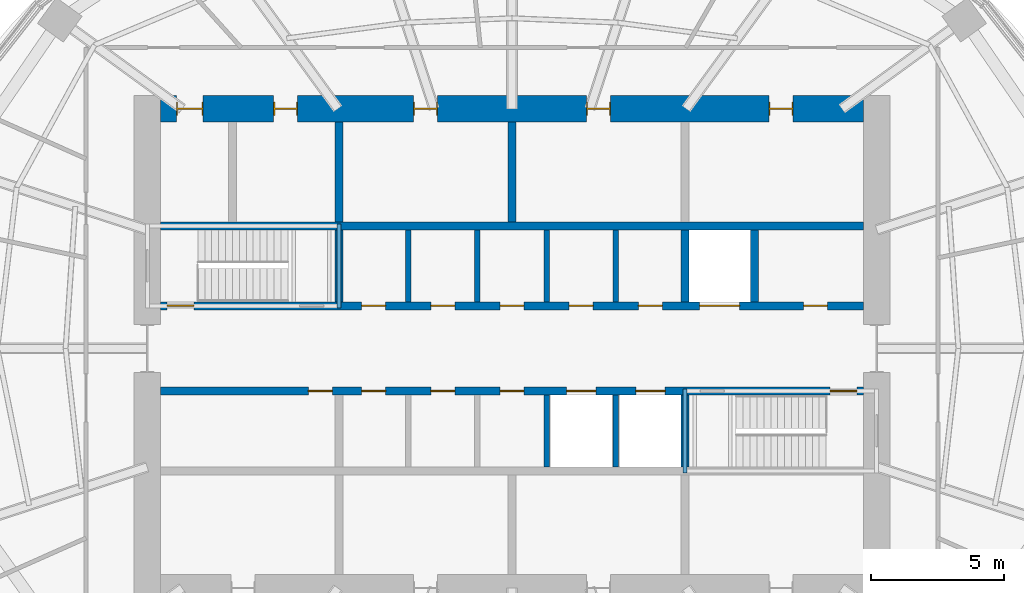
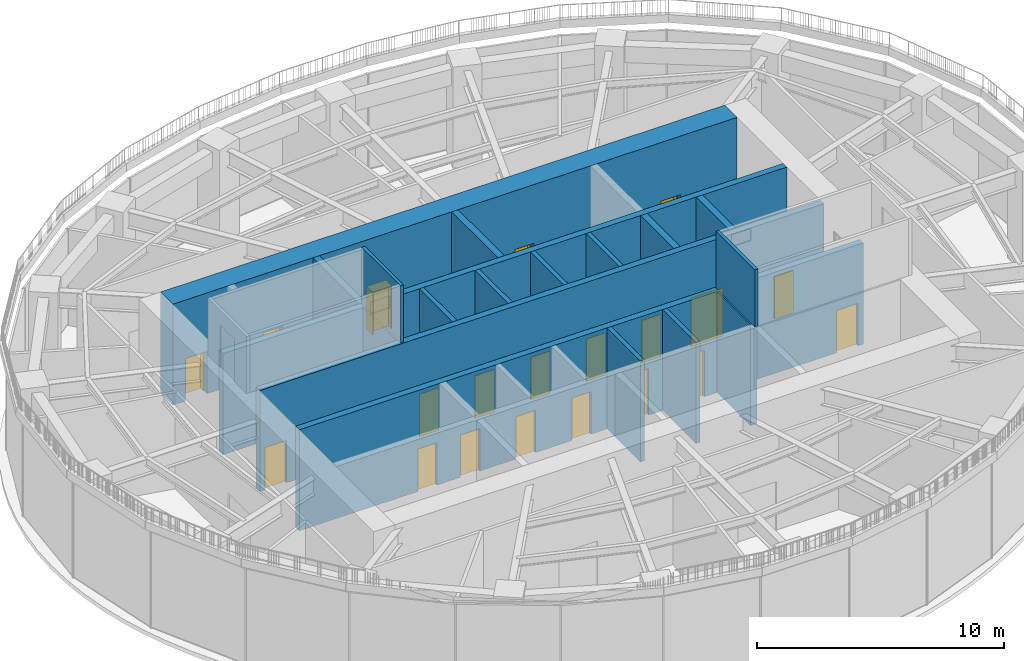
# One storey, part 11 of 19: 20 doors, 18 walls, 20 openings.
"""IFC4 building model written with IfcOpenShell, lengths in metres."""

import ifcopenshell
import ifcopenshell.guid

model = None  # the IFC model being written
_history = None  # IfcOwnerHistory: only IFC2X3 demands one
_inside = {}  # id of a spatial element -> (the spatial element, [elements in it])
_under = {}  # id of a project, library or spatial element -> (it, [spatial elements below it])
_declared = {}  # id of a project -> (the project, [libraries it declares])
_typed = {}  # id of a type object -> (the type object, [elements of that type])
_made_of = {}  # id of a material, layer set ... -> (it, [elements and type objects made of it])


def new_model(schema):
    """Start an empty IFC model of exactly this schema.

    Asked for "IFC4X3", IfcOpenShell would pick the latest addendum, in which some entities
    have other attributes; the version numbers below select the first issue.
    IFC2X3 requires an IfcOwnerHistory on every rooted entity: one is made here for all.
    """
    global model, _history
    if schema == "IFC4X3":
        model = ifcopenshell.file(schema_version=(4, 3, 0, 0))
    else:
        model = ifcopenshell.file(schema=schema)
    _inside.clear()
    _under.clear()
    _declared.clear()
    _typed.clear()
    _made_of.clear()
    _history = None
    if model.schema == "IFC2X3":
        org = make("IfcOrganization", Name="unknown")
        user = make(
            "IfcPersonAndOrganization",
            ThePerson=make("IfcPerson", FamilyName="unknown"),
            TheOrganization=org,
        )
        app = make(
            "IfcApplication",
            ApplicationDeveloper=org,
            Version="unknown",
            ApplicationFullName="unknown",
            ApplicationIdentifier="unknown",
        )
        _history = make(
            "IfcOwnerHistory",
            OwningUser=user,
            OwningApplication=app,
            ChangeAction="ADDED",
            CreationDate=0,
        )
    return model


def make(cls, **values):
    """One entity of the class cls with the attributes given. An attribute that is None is left unset."""
    return model.create_entity(
        cls, **{name: value for name, value in values.items() if value is not None}
    )


def rooted(cls, **values):
    """An entity with a GlobalId (a new one), such as an element, a storey or a relation."""
    return make(cls, GlobalId=ifcopenshell.guid.new(), OwnerHistory=_history, **values)


def si_unit(unit_type, name, prefix=None):
    """IfcSIUnit, for example si_unit("LENGTHUNIT", "METRE", prefix="MILLI")."""
    return make("IfcSIUnit", UnitType=unit_type, Prefix=prefix, Name=name)


def assignment(units):
    """IfcUnitAssignment: the units of a project."""
    return None if units is None else make("IfcUnitAssignment", Units=units)


def point(xyz):
    """IfcCartesianPoint."""
    return None if xyz is None else make("IfcCartesianPoint", Coordinates=xyz)


def direction(xyz):
    """IfcDirection."""
    return None if xyz is None else make("IfcDirection", DirectionRatios=xyz)


def frame(location, z_axis=None, x_axis=None):
    """IfcAxis2Placement3D, a coordinate frame: its origin and axes. An axis left out is left unset."""
    return make(
        "IfcAxis2Placement3D",
        Location=point(location),
        Axis=direction(z_axis),
        RefDirection=direction(x_axis),
    )


def frame_2d(location, x_axis=None):
    """IfcAxis2Placement2D, a coordinate frame in the plane: its origin and x axis."""
    return make(
        "IfcAxis2Placement2D", Location=point(location), RefDirection=direction(x_axis)
    )


def origin():
    """The frame at (0, 0, 0) with its axes left unset."""
    return frame((0.0, 0.0, 0.0))


def place(relative_to, where):
    """IfcLocalPlacement: puts the frame where relative to a parent placement (None: the world)."""
    return make(
        "IfcLocalPlacement", PlacementRelTo=relative_to, RelativePlacement=where
    )


def context(
    kind, dimensions, precision=None, world=None, true_north=None, identifier=None
):
    """IfcGeometricRepresentationContext, for example the 3D "Model" context."""
    return make(
        "IfcGeometricRepresentationContext",
        ContextIdentifier=identifier,
        ContextType=kind,
        CoordinateSpaceDimension=dimensions,
        Precision=precision,
        WorldCoordinateSystem=world,
        TrueNorth=true_north,
    )


def subcontext(parent, identifier, kind, view, scale=None):
    """IfcGeometricRepresentationSubContext, for example "Body" below "Model"."""
    return make(
        "IfcGeometricRepresentationSubContext",
        ContextIdentifier=identifier,
        ContextType=kind,
        ParentContext=parent,
        TargetScale=scale,
        TargetView=view,
    )


def project(units=None, contexts=None):
    """IfcProject with its units and contexts."""
    return rooted(
        "IfcProject",
        Name="project",
        RepresentationContexts=contexts,
        UnitsInContext=assignment(units),
    )


def spatial(cls, under=None, at=None, **own):
    """A site, building, storey or space (cls), placed at a placement, below another one or the project."""
    s = rooted(cls, ObjectPlacement=at, **own)
    if under is not None:
        _under.setdefault(under.id(), (under, []))[1].append(s)
    return s


def profile(cls, at=None, kind="AREA", **sizes):
    """A parametric profile (cls). Its sizes go by their IFC names, for example OverallWidth=200.0."""
    return make(cls, ProfileType=kind, Position=at, **sizes)


def rectangle(**sizes):
    """IfcRectangleProfileDef."""
    return profile("IfcRectangleProfileDef", **sizes)


def extrude(swept, where, along, depth):
    """IfcExtrudedAreaSolid: the profile swept, set in the frame where, extruded along a direction by depth."""
    return make(
        "IfcExtrudedAreaSolid",
        SweptArea=swept,
        Position=where,
        ExtrudedDirection=direction(along),
        Depth=depth,
    )


def shape(context_of_items, identifier, shape_type, items):
    """IfcShapeRepresentation: the items that make up one representation, for example the "Body"."""
    return make(
        "IfcShapeRepresentation",
        ContextOfItems=context_of_items,
        RepresentationIdentifier=identifier,
        RepresentationType=shape_type,
        Items=items,
    )


def material(Name=None, Category=None):
    """IfcMaterial."""
    return make("IfcMaterial", Name=Name, Category=Category)


def layer(
    of_material, thickness, ventilated=None, Name=None, Category=None, Priority=None
):
    """IfcMaterialLayer: one layer of a wall or slab, of a material (None: an air gap)."""
    return make(
        "IfcMaterialLayer",
        Material=of_material,
        LayerThickness=thickness,
        IsVentilated=ventilated,
        Name=Name,
        Category=Category,
        Priority=Priority,
    )


def layer_set(layers, Name=None):
    """IfcMaterialLayerSet."""
    return make("IfcMaterialLayerSet", MaterialLayers=layers, LayerSetName=Name)


def made_of(thing, what):
    """Note that an element or type object is made of a material, layer set ...; save() writes the relation."""
    if what is not None:
        _made_of.setdefault(what.id(), (what, []))[1].append(thing)
    return thing


def type_object(cls, material=None, **own):
    """A type object (cls), such as IfcWallType, which elements share."""
    return made_of(rooted(cls, **own), material)


def element(
    cls,
    number,
    at=None,
    inside=None,
    cuts=None,
    type_object=None,
    material=None,
    context=None,
    identifier="Body",
    shape_type=None,
    held_by="IfcProductDefinitionShape",
    body=None,
    shapes=None,
    **own,
):
    """One element of the class cls, such as IfcWall. Its Tag is "e" and its number.

    at: its placement. inside: the storey or other place that contains it. cuts: it is an
    opening in that element (IfcRelVoidsElement). A single representation is given by context,
    identifier, shape_type and body (its items); several are given by shapes. held_by: the class
    of the entity that holds the representations. save() writes the other relations.
    """
    e = rooted(cls, Tag="e%d" % number, ObjectPlacement=at, **own)
    if body is not None:
        shapes = [shape(context, identifier, shape_type, body)]
    if shapes is not None:
        e.Representation = make(held_by, Representations=shapes)
    if inside is not None:
        _inside.setdefault(inside.id(), (inside, []))[1].append(e)
    if cuts is not None:
        rooted(
            "IfcRelVoidsElement", RelatingBuildingElement=cuts, RelatedOpeningElement=e
        )
    if type_object is not None:
        _typed.setdefault(type_object.id(), (type_object, []))[1].append(e)
    return made_of(e, material)


def fill(opening, filler):
    """IfcRelFillsElement: the door or window that sits in an opening."""
    return rooted(
        "IfcRelFillsElement",
        RelatingOpeningElement=opening,
        RelatedBuildingElement=filler,
    )


def aggregate(whole, parts):
    """IfcRelAggregates: a whole, such as a stair, and the parts it consists of."""
    return rooted("IfcRelAggregates", RelatingObject=whole, RelatedObjects=parts)


def save(model, path):
    """Write the relations noted so far, then the file.

    IfcRelAggregates (storeys below a building ...), IfcRelContainedInSpatialStructure (elements
    in a storey), IfcRelDefinesByType, IfcRelAssociatesMaterial and IfcRelDeclares: one each for
    every whole, place, type object, material and project.
    """
    for whole, parts in _under.values():
        aggregate(whole, parts)
    for where, things in _inside.values():
        rooted(
            "IfcRelContainedInSpatialStructure",
            RelatedElements=things,
            RelatingStructure=where,
        )
    for kind, things in _typed.values():
        rooted("IfcRelDefinesByType", RelatedObjects=things, RelatingType=kind)
    for what, things in _made_of.values():
        rooted("IfcRelAssociatesMaterial", RelatedObjects=things, RelatingMaterial=what)
    for by, libraries in _declared.values():
        rooted("IfcRelDeclares", RelatingContext=by, RelatedDefinitions=libraries)
    model.write(path)


model = new_model("IFC4")

# Units and contexts
model_context = context("Model", 3, precision=1e-05, world=origin(), true_north=direction((0.0, 1.0)))
body_context = subcontext(model_context, "Body", "Model", "MODEL_VIEW")
ifc_project = project(units=[si_unit("LENGTHUNIT", "METRE"), si_unit("AREAUNIT", "SQUARE_METRE"), si_unit("VOLUMEUNIT", "CUBIC_METRE"), si_unit("PLANEANGLEUNIT", "RADIAN"), si_unit("MASSUNIT", "GRAM", prefix="KILO")], contexts=[model_context])

# Site, building, storey
site_placement = place(None, origin())
site = spatial("IfcSite", under=ifc_project, at=site_placement, CompositionType="ELEMENT")
building_placement = place(site_placement, origin())
building = spatial("IfcBuilding", under=site, at=building_placement, Name="Marramba Exchange Tower", CompositionType="ELEMENT")
storey_placement = place(building_placement, frame((0.0, 0.0, 277.0)))
storey = spatial("IfcBuildingStorey", under=building, at=storey_placement, Name="L67", CompositionType="ELEMENT", Elevation=277.0)

# Walls
ifc_material_1 = material(Name="Concrete N50", Category="concrete")
ifc_layer_1 = layer(ifc_material_1, 0.199951171875)
ifc_layer_set_1 = layer_set([ifc_layer_1], Name="Core shaft wall 200")
wall_type_1 = type_object("IfcWallType", Name="Core shaft wall 200", PredefinedType="SHEAR", material=ifc_layer_set_1)
for number, where, z_axis, x_axis, name in (
    (1, (-3.89990234375, 1.75, 0.0), (0.0, 0.0, 1.0), (0.0, 1.0, 0.0), "Core wall SHN1 L67"),
    (2, (-1.300048828125, 1.75, 0.0), (0.0, 0.0, 1.0), (0.0, 1.0, 0.0), "Core wall SHN2 L67"),
    (3, (1.300048828125, 1.75, 0.0), (0.0, 0.0, 1.0), (0.0, 1.0, 0.0), "Core wall SHN3 L67"),
    (4, (3.89990234375, 1.75, 0.0), (0.0, 0.0, 1.0), (0.0, 1.0, 0.0), "Core wall SHN4 L67"),
    (5, (1.300048828125, -1.75, 0.0), (0.0, 0.0, 1.0), (0.0, -1.0, 0.0), "Core wall SHS3 L67"),
    (6, (3.89990234375, -1.75, 0.0), (0.0, 0.0, 1.0), (0.0, -1.0, 0.0), "Core wall SHS4 L67"),
):
    element("IfcWall", number, at=place(storey_placement, frame(where, z_axis=z_axis, x_axis=x_axis)), inside=storey, type_object=wall_type_1, Name=name, PredefinedType="SHEAR", context=body_context, shape_type="SweptSolid", body=[
        extrude(rectangle(XDim=2.699951171875, YDim=0.199951171875, at=frame_2d((1.35009765625, 0.0))), origin(), (0.0, 0.0, 1.0), 5.0),
    ])

# Wall, openings, doors
ifc_layer_2 = layer(ifc_material_1, 1.0)
ifc_layer_set_2 = layer_set([ifc_layer_2], Name="Core wall 1000")
wall_type_2 = type_object("IfcWallType", Name="Core wall 1000", PredefinedType="SHEAR", material=ifc_layer_set_2)
wall_1_placement = place(storey_placement, frame((13.199951171875, 9.0, 0.0), z_axis=(0.0, 0.0, 1.0), x_axis=(-1.0, 0.0, 0.0)))
wall_1 = element("IfcWall", 7, at=wall_1_placement, inside=storey, type_object=wall_type_2, Name="Core wall N L67", PredefinedType="SHEAR", context=body_context, shape_type="SweptSolid", body=[
    extrude(rectangle(XDim=26.39990234375, YDim=1.0, at=frame_2d((13.199951171875, 0.0))), origin(), (0.0, 0.0, 1.0), 5.0),
])
opening_1_placement = place(wall_1_placement, frame((2.64990234375, 0.0, 0.0)))
opening_1 = element("IfcOpeningElement", 8, at=opening_1_placement, cuts=wall_1, Name="Opening D5", PredefinedType="OPENING", context=body_context, shape_type="SweptSolid", body=[
    extrude(rectangle(XDim=0.89990234375, YDim=2.10009765625, at=frame_2d((0.449951171875, 1.050048828125))), frame((0.0, 0.510009765625, 0.0), z_axis=(0.0, -1.0, 0.0), x_axis=(1.0, 0.0, 0.0)), (0.0, 0.0, 1.0), 1.02001953125),
])
opening_2_placement = place(wall_1_placement, frame((9.5, 0.0, 0.0)))
opening_2 = element("IfcOpeningElement", 9, at=opening_2_placement, cuts=wall_1, Name="Opening D3", PredefinedType="OPENING", context=body_context, shape_type="SweptSolid", body=[
    extrude(rectangle(XDim=0.89990234375, YDim=2.10009765625, at=frame_2d((0.449951171875, 1.050048828125))), frame((0.0, 0.510009765625, 0.0), z_axis=(0.0, -1.0, 0.0), x_axis=(1.0, 0.0, 0.0)), (0.0, 0.0, 1.0), 1.02001953125),
])
opening_3_placement = place(wall_1_placement, frame((16.0, 0.0, 0.0)))
opening_3 = element("IfcOpeningElement", 10, at=opening_3_placement, cuts=wall_1, Name="Opening D3", PredefinedType="OPENING", context=body_context, shape_type="SweptSolid", body=[
    extrude(rectangle(XDim=0.89990234375, YDim=2.10009765625, at=frame_2d((0.449951171875, 1.050048828125))), frame((0.0, 0.510009765625, 0.0), z_axis=(0.0, -1.0, 0.0), x_axis=(1.0, 0.0, 0.0)), (0.0, 0.0, 1.0), 1.02001953125),
])
opening_4_placement = place(wall_1_placement, frame((21.25, 0.0, 0.0)))
opening_4 = element("IfcOpeningElement", 11, at=opening_4_placement, cuts=wall_1, Name="Opening D5", PredefinedType="OPENING", context=body_context, shape_type="SweptSolid", body=[
    extrude(rectangle(XDim=0.89990234375, YDim=2.10009765625, at=frame_2d((0.449951171875, 1.050048828125))), frame((0.0, 0.510009765625, 0.0), z_axis=(0.0, -1.0, 0.0), x_axis=(1.0, 0.0, 0.0)), (0.0, 0.0, 1.0), 1.02001953125),
])
opening_5_placement = place(wall_1_placement, frame((24.800048828125, 0.0, 0.0)))
opening_5 = element("IfcOpeningElement", 12, at=opening_5_placement, cuts=wall_1, Name="Opening D4", PredefinedType="OPENING", context=body_context, shape_type="SweptSolid", body=[
    extrude(rectangle(XDim=1.0, YDim=2.10009765625, at=frame_2d((0.5, 1.050048828125))), frame((0.0, 0.510009765625, 0.0), z_axis=(0.0, -1.0, 0.0), x_axis=(1.0, 0.0, 0.0)), (0.0, 0.0, 1.0), 1.02001953125),
])
ifc_material_2 = material(Name="Steel-framed door", Category="steel")
door_type_1 = type_object("IfcDoorType", Name="Accessible toilet door 1000x2100", OperationType="SINGLE_SWING_LEFT", PredefinedType="DOOR", material=ifc_material_2)
door_1_placement = place(opening_5_placement, origin())
door_1 = element("IfcDoor", 13, at=door_1_placement, inside=storey, type_object=door_type_1, Name="D4 awc L67", OperationType="SINGLE_SWING_RIGHT", OverallHeight=2.10009765625, OverallWidth=1.0, PredefinedType="DOOR", context=body_context, shape_type="SweptSolid", body=[
    extrude(rectangle(XDim=0.919921875, YDim=2.06005859375, at=frame_2d((0.5, 1.030029296875))), frame((0.0, 0.02490234375, 0.0), z_axis=(0.0, -1.0, 0.0), x_axis=(1.0, 0.0, 0.0)), (0.0, 0.0, 1.0), 0.050048828125),
    extrude(rectangle(XDim=0.04, YDim=2.10009765625, at=frame_2d((0.02001953125, 1.050048828125))), frame((0.0, 0.25, 0.0), z_axis=(0.0, -1.0, 0.0), x_axis=(1.0, 0.0, 0.0)), (0.0, 0.0, 1.0), 0.5),
    extrude(rectangle(XDim=0.04, YDim=2.10009765625, at=frame_2d((0.97998046875, 1.050048828125))), frame((0.0, 0.25, 0.0), z_axis=(0.0, -1.0, 0.0), x_axis=(1.0, 0.0, 0.0)), (0.0, 0.0, 1.0), 0.5),
    extrude(rectangle(XDim=0.919921875, YDim=0.04, at=frame_2d((0.5, 2.080078125))), frame((0.0, 0.25, 0.0), z_axis=(0.0, -1.0, 0.0), x_axis=(1.0, 0.0, 0.0)), (0.0, 0.0, 1.0), 0.5),
])
fill(opening_5, door_1)
door_type_2 = type_object("IfcDoorType", Name="Service door 900x2100", OperationType="SINGLE_SWING_LEFT", PredefinedType="DOOR", material=ifc_material_2)
door_2_placement = place(opening_1_placement, origin())
door_2 = element("IfcDoor", 14, at=door_2_placement, inside=storey, type_object=door_type_2, Name="D5 comms L67", OperationType="SINGLE_SWING_LEFT", OverallHeight=2.10009765625, OverallWidth=0.89990234375, PredefinedType="DOOR", context=body_context, shape_type="SweptSolid", body=[
    extrude(rectangle(XDim=0.81982421875, YDim=2.06005859375, at=frame_2d((0.449951171875, 1.030029296875))), frame((0.0, 0.02490234375, 0.0), z_axis=(0.0, -1.0, 0.0), x_axis=(1.0, 0.0, 0.0)), (0.0, 0.0, 1.0), 0.050048828125),
    extrude(rectangle(XDim=0.04, YDim=2.10009765625, at=frame_2d((0.02001953125, 1.050048828125))), frame((0.0, 0.25, 0.0), z_axis=(0.0, -1.0, 0.0), x_axis=(1.0, 0.0, 0.0)), (0.0, 0.0, 1.0), 0.5),
    extrude(rectangle(XDim=0.04, YDim=2.10009765625, at=frame_2d((0.8798828125, 1.050048828125))), frame((0.0, 0.25, 0.0), z_axis=(0.0, -1.0, 0.0), x_axis=(1.0, 0.0, 0.0)), (0.0, 0.0, 1.0), 0.5),
    extrude(rectangle(XDim=0.81982421875, YDim=0.04, at=frame_2d((0.449951171875, 2.080078125))), frame((0.0, 0.25, 0.0), z_axis=(0.0, -1.0, 0.0), x_axis=(1.0, 0.0, 0.0)), (0.0, 0.0, 1.0), 0.5),
])
fill(opening_1, door_2)
door_3_placement = place(opening_4_placement, origin())
door_3 = element("IfcDoor", 15, at=door_3_placement, inside=storey, type_object=door_type_2, Name="D5 cleaner L67", OperationType="SINGLE_SWING_RIGHT", OverallHeight=2.10009765625, OverallWidth=0.89990234375, PredefinedType="DOOR", context=body_context, shape_type="SweptSolid", body=[
    extrude(rectangle(XDim=0.81982421875, YDim=2.06005859375, at=frame_2d((0.449951171875, 1.030029296875))), frame((0.0, 0.02490234375, 0.0), z_axis=(0.0, -1.0, 0.0), x_axis=(1.0, 0.0, 0.0)), (0.0, 0.0, 1.0), 0.050048828125),
    extrude(rectangle(XDim=0.04, YDim=2.10009765625, at=frame_2d((0.02001953125, 1.050048828125))), frame((0.0, 0.25, 0.0), z_axis=(0.0, -1.0, 0.0), x_axis=(1.0, 0.0, 0.0)), (0.0, 0.0, 1.0), 0.5),
    extrude(rectangle(XDim=0.04, YDim=2.10009765625, at=frame_2d((0.8798828125, 1.050048828125))), frame((0.0, 0.25, 0.0), z_axis=(0.0, -1.0, 0.0), x_axis=(1.0, 0.0, 0.0)), (0.0, 0.0, 1.0), 0.5),
    extrude(rectangle(XDim=0.81982421875, YDim=0.04, at=frame_2d((0.449951171875, 2.080078125))), frame((0.0, 0.25, 0.0), z_axis=(0.0, -1.0, 0.0), x_axis=(1.0, 0.0, 0.0)), (0.0, 0.0, 1.0), 0.5),
])
fill(opening_4, door_3)
door_type_3 = type_object("IfcDoorType", Name="Toilet door 900x2100", OperationType="SINGLE_SWING_LEFT", PredefinedType="DOOR", material=ifc_material_2)
door_4_placement = place(opening_2_placement, origin())
door_4 = element("IfcDoor", 16, at=door_4_placement, inside=storey, type_object=door_type_3, Name="D3 wc-f L67", OperationType="SINGLE_SWING_RIGHT", OverallHeight=2.10009765625, OverallWidth=0.89990234375, PredefinedType="DOOR", context=body_context, shape_type="SweptSolid", body=[
    extrude(rectangle(XDim=0.81982421875, YDim=2.06005859375, at=frame_2d((0.449951171875, 1.030029296875))), frame((0.0, 0.02490234375, 0.0), z_axis=(0.0, -1.0, 0.0), x_axis=(1.0, 0.0, 0.0)), (0.0, 0.0, 1.0), 0.050048828125),
    extrude(rectangle(XDim=0.04, YDim=2.10009765625, at=frame_2d((0.02001953125, 1.050048828125))), frame((0.0, 0.25, 0.0), z_axis=(0.0, -1.0, 0.0), x_axis=(1.0, 0.0, 0.0)), (0.0, 0.0, 1.0), 0.5),
    extrude(rectangle(XDim=0.04, YDim=2.10009765625, at=frame_2d((0.8798828125, 1.050048828125))), frame((0.0, 0.25, 0.0), z_axis=(0.0, -1.0, 0.0), x_axis=(1.0, 0.0, 0.0)), (0.0, 0.0, 1.0), 0.5),
    extrude(rectangle(XDim=0.81982421875, YDim=0.04, at=frame_2d((0.449951171875, 2.080078125))), frame((0.0, 0.25, 0.0), z_axis=(0.0, -1.0, 0.0), x_axis=(1.0, 0.0, 0.0)), (0.0, 0.0, 1.0), 0.5),
])
fill(opening_2, door_4)
door_5_placement = place(opening_3_placement, origin())
door_5 = element("IfcDoor", 17, at=door_5_placement, inside=storey, type_object=door_type_3, Name="D3 wc-m L67", OperationType="SINGLE_SWING_RIGHT", OverallHeight=2.10009765625, OverallWidth=0.89990234375, PredefinedType="DOOR", context=body_context, shape_type="SweptSolid", body=[
    extrude(rectangle(XDim=0.81982421875, YDim=2.06005859375, at=frame_2d((0.449951171875, 1.030029296875))), frame((0.0, 0.02490234375, 0.0), z_axis=(0.0, -1.0, 0.0), x_axis=(1.0, 0.0, 0.0)), (0.0, 0.0, 1.0), 0.050048828125),
    extrude(rectangle(XDim=0.04, YDim=2.10009765625, at=frame_2d((0.02001953125, 1.050048828125))), frame((0.0, 0.25, 0.0), z_axis=(0.0, -1.0, 0.0), x_axis=(1.0, 0.0, 0.0)), (0.0, 0.0, 1.0), 0.5),
    extrude(rectangle(XDim=0.04, YDim=2.10009765625, at=frame_2d((0.8798828125, 1.050048828125))), frame((0.0, 0.25, 0.0), z_axis=(0.0, -1.0, 0.0), x_axis=(1.0, 0.0, 0.0)), (0.0, 0.0, 1.0), 0.5),
    extrude(rectangle(XDim=0.81982421875, YDim=0.04, at=frame_2d((0.449951171875, 2.080078125))), frame((0.0, 0.25, 0.0), z_axis=(0.0, -1.0, 0.0), x_axis=(1.0, 0.0, 0.0)), (0.0, 0.0, 1.0), 0.5),
])
fill(opening_3, door_5)

ifc_layer_3 = layer(ifc_material_1, 0.300048828125)
ifc_layer_set_3 = layer_set([ifc_layer_3], Name="Core wall 300")
wall_type_3 = type_object("IfcWallType", Name="Core wall 300", PredefinedType="SHEAR", material=ifc_layer_set_3)
wall_2_placement = place(storey_placement, frame((-13.199951171875, 1.60009765625, 0.0), z_axis=(0.0, 0.0, 1.0), x_axis=(1.0, 0.0, 0.0)))
wall_2 = element("IfcWall", 18, at=wall_2_placement, inside=storey, type_object=wall_type_3, Name="Core wall LN L67", PredefinedType="SHEAR", context=body_context, shape_type="SweptSolid", body=[
    extrude(rectangle(XDim=26.39990234375, YDim=0.300048828125, at=frame_2d((13.199951171875, 0.0))), origin(), (0.0, 0.0, 1.0), 5.0),
])
opening_6_placement = place(wall_2_placement, frame((0.25, 0.0, 0.0)))
opening_6 = element("IfcOpeningElement", 19, at=opening_6_placement, cuts=wall_2, Name="Opening D2", PredefinedType="OPENING", context=body_context, shape_type="SweptSolid", body=[
    extrude(rectangle(XDim=1.0, YDim=2.10009765625, at=frame_2d((0.5, 1.050048828125))), frame((0.0, 0.159912109375, 0.0), z_axis=(0.0, -1.0, 0.0), x_axis=(1.0, 0.0, 0.0)), (0.0, 0.0, 1.0), 0.320068359375),
])
opening_7_placement = place(wall_2_placement, frame((20.25, 0.0, 0.0)))
opening_7 = element("IfcOpeningElement", 20, at=opening_7_placement, cuts=wall_2, Name="Opening LD3", PredefinedType="OPENING", context=body_context, shape_type="SweptSolid", body=[
    extrude(rectangle(XDim=1.5, YDim=2.39990234375, at=frame_2d((0.75, 1.199951171875))), frame((0.0, 0.159912109375, 0.0), z_axis=(0.0, -1.0, 0.0), x_axis=(1.0, 0.0, 0.0)), (0.0, 0.0, 1.0), 0.320068359375),
])
opening_8_placement = place(wall_2_placement, frame((7.550048828125, 0.0, 0.0)))
opening_8 = element("IfcOpeningElement", 21, at=opening_8_placement, cuts=wall_2, Name="Opening D5", PredefinedType="OPENING", context=body_context, shape_type="SweptSolid", body=[
    extrude(rectangle(XDim=0.89990234375, YDim=2.10009765625, at=frame_2d((0.449951171875, 1.050048828125))), frame((0.0, 0.159912109375, 0.0), z_axis=(0.0, -1.0, 0.0), x_axis=(1.0, 0.0, 0.0)), (0.0, 0.0, 1.0), 0.320068359375),
])
opening_9_placement = place(wall_2_placement, frame((10.14990234375, 0.0, 0.0)))
opening_9 = element("IfcOpeningElement", 22, at=opening_9_placement, cuts=wall_2, Name="Opening D5", PredefinedType="OPENING", context=body_context, shape_type="SweptSolid", body=[
    extrude(rectangle(XDim=0.89990234375, YDim=2.10009765625, at=frame_2d((0.449951171875, 1.050048828125))), frame((0.0, 0.159912109375, 0.0), z_axis=(0.0, -1.0, 0.0), x_axis=(1.0, 0.0, 0.0)), (0.0, 0.0, 1.0), 0.320068359375),
])
opening_10_placement = place(wall_2_placement, frame((12.75, 0.0, 0.0)))
opening_10 = element("IfcOpeningElement", 23, at=opening_10_placement, cuts=wall_2, Name="Opening D5", PredefinedType="OPENING", context=body_context, shape_type="SweptSolid", body=[
    extrude(rectangle(XDim=0.89990234375, YDim=2.10009765625, at=frame_2d((0.449951171875, 1.050048828125))), frame((0.0, 0.159912109375, 0.0), z_axis=(0.0, -1.0, 0.0), x_axis=(1.0, 0.0, 0.0)), (0.0, 0.0, 1.0), 0.320068359375),
])
opening_11_placement = place(wall_2_placement, frame((15.35009765625, 0.0, 0.0)))
opening_11 = element("IfcOpeningElement", 24, at=opening_11_placement, cuts=wall_2, Name="Opening D5", PredefinedType="OPENING", context=body_context, shape_type="SweptSolid", body=[
    extrude(rectangle(XDim=0.89990234375, YDim=2.10009765625, at=frame_2d((0.449951171875, 1.050048828125))), frame((0.0, 0.159912109375, 0.0), z_axis=(0.0, -1.0, 0.0), x_axis=(1.0, 0.0, 0.0)), (0.0, 0.0, 1.0), 0.320068359375),
])
opening_12_placement = place(wall_2_placement, frame((17.949951171875, 0.0, 0.0)))
opening_12 = element("IfcOpeningElement", 25, at=opening_12_placement, cuts=wall_2, Name="Opening D5", PredefinedType="OPENING", context=body_context, shape_type="SweptSolid", body=[
    extrude(rectangle(XDim=0.89990234375, YDim=2.10009765625, at=frame_2d((0.449951171875, 1.050048828125))), frame((0.0, 0.159912109375, 0.0), z_axis=(0.0, -1.0, 0.0), x_axis=(1.0, 0.0, 0.0)), (0.0, 0.0, 1.0), 0.320068359375),
])
opening_13_placement = place(wall_2_placement, frame((24.14990234375, 0.0, 0.0)))
opening_13 = element("IfcOpeningElement", 26, at=opening_13_placement, cuts=wall_2, Name="Opening D5", PredefinedType="OPENING", context=body_context, shape_type="SweptSolid", body=[
    extrude(rectangle(XDim=0.89990234375, YDim=2.10009765625, at=frame_2d((0.449951171875, 1.050048828125))), frame((0.0, 0.159912109375, 0.0), z_axis=(0.0, -1.0, 0.0), x_axis=(1.0, 0.0, 0.0)), (0.0, 0.0, 1.0), 0.320068359375),
])
door_type_4 = type_object("IfcDoorType", Name="Goods lift landing door 1500x2400", OperationType="SLIDING_TO_LEFT", PredefinedType="DOOR", material=ifc_material_2)
door_6_placement = place(opening_7_placement, origin())
door_6 = element("IfcDoor", 27, at=door_6_placement, inside=storey, type_object=door_type_4, Name="GL1 landing door L67", OperationType="SLIDING_TO_RIGHT", OverallHeight=2.39990234375, OverallWidth=1.5, PredefinedType="DOOR", context=body_context, shape_type="SweptSolid", body=[
    extrude(rectangle(XDim=1.5, YDim=2.39990234375, at=frame_2d((0.75, 1.199951171875))), frame((0.0, 0.02490234375, 0.0), z_axis=(0.0, -1.0, 0.0), x_axis=(1.0, 0.0, 0.0)), (0.0, 0.0, 1.0), 0.050048828125),
])
fill(opening_7, door_6)
door_7_placement = place(opening_8_placement, origin())
door_7 = element("IfcDoor", 28, at=door_7_placement, inside=storey, type_object=door_type_2, Name="D5 ups room n1 L67", OperationType="SINGLE_SWING_RIGHT", OverallHeight=2.10009765625, OverallWidth=0.89990234375, PredefinedType="DOOR", context=body_context, shape_type="SweptSolid", body=[
    extrude(rectangle(XDim=0.89990234375, YDim=2.10009765625, at=frame_2d((0.449951171875, 1.050048828125))), frame((0.0, 0.02490234375, 0.0), z_axis=(0.0, -1.0, 0.0), x_axis=(1.0, 0.0, 0.0)), (0.0, 0.0, 1.0), 0.050048828125),
])
fill(opening_8, door_7)
door_8_placement = place(opening_9_placement, origin())
door_8 = element("IfcDoor", 29, at=door_8_placement, inside=storey, type_object=door_type_2, Name="D5 hydraulic plant room n2 L67", OperationType="SINGLE_SWING_RIGHT", OverallHeight=2.10009765625, OverallWidth=0.89990234375, PredefinedType="DOOR", context=body_context, shape_type="SweptSolid", body=[
    extrude(rectangle(XDim=0.89990234375, YDim=2.10009765625, at=frame_2d((0.449951171875, 1.050048828125))), frame((0.0, 0.02490234375, 0.0), z_axis=(0.0, -1.0, 0.0), x_axis=(1.0, 0.0, 0.0)), (0.0, 0.0, 1.0), 0.050048828125),
])
fill(opening_9, door_8)
door_9_placement = place(opening_10_placement, origin())
door_9 = element("IfcDoor", 30, at=door_9_placement, inside=storey, type_object=door_type_2, Name="D5 plant store n3 L67", OperationType="SINGLE_SWING_RIGHT", OverallHeight=2.10009765625, OverallWidth=0.89990234375, PredefinedType="DOOR", context=body_context, shape_type="SweptSolid", body=[
    extrude(rectangle(XDim=0.89990234375, YDim=2.10009765625, at=frame_2d((0.449951171875, 1.050048828125))), frame((0.0, 0.02490234375, 0.0), z_axis=(0.0, -1.0, 0.0), x_axis=(1.0, 0.0, 0.0)), (0.0, 0.0, 1.0), 0.050048828125),
])
fill(opening_10, door_9)
door_10_placement = place(opening_11_placement, origin())
door_10 = element("IfcDoor", 31, at=door_10_placement, inside=storey, type_object=door_type_2, Name="D5 ups room n4 L67", OperationType="SINGLE_SWING_RIGHT", OverallHeight=2.10009765625, OverallWidth=0.89990234375, PredefinedType="DOOR", context=body_context, shape_type="SweptSolid", body=[
    extrude(rectangle(XDim=0.89990234375, YDim=2.10009765625, at=frame_2d((0.449951171875, 1.050048828125))), frame((0.0, 0.02490234375, 0.0), z_axis=(0.0, -1.0, 0.0), x_axis=(1.0, 0.0, 0.0)), (0.0, 0.0, 1.0), 0.050048828125),
])
fill(opening_11, door_10)
door_11_placement = place(opening_12_placement, origin())
door_11 = element("IfcDoor", 32, at=door_11_placement, inside=storey, type_object=door_type_2, Name="D5 hydraulic plant room n5 L67", OperationType="SINGLE_SWING_RIGHT", OverallHeight=2.10009765625, OverallWidth=0.89990234375, PredefinedType="DOOR", context=body_context, shape_type="SweptSolid", body=[
    extrude(rectangle(XDim=0.89990234375, YDim=2.10009765625, at=frame_2d((0.449951171875, 1.050048828125))), frame((0.0, 0.02490234375, 0.0), z_axis=(0.0, -1.0, 0.0), x_axis=(1.0, 0.0, 0.0)), (0.0, 0.0, 1.0), 0.050048828125),
])
fill(opening_12, door_11)
door_12_placement = place(opening_13_placement, origin())
door_12 = element("IfcDoor", 33, at=door_12_placement, inside=storey, type_object=door_type_2, Name="D5 riser L67", OperationType="SINGLE_SWING_RIGHT", OverallHeight=2.10009765625, OverallWidth=0.89990234375, PredefinedType="DOOR", context=body_context, shape_type="SweptSolid", body=[
    extrude(rectangle(XDim=0.89990234375, YDim=2.10009765625, at=frame_2d((0.449951171875, 1.050048828125))), frame((0.0, 0.02490234375, 0.0), z_axis=(0.0, -1.0, 0.0), x_axis=(1.0, 0.0, 0.0)), (0.0, 0.0, 1.0), 0.050048828125),
])
fill(opening_13, door_12)
door_type_5 = type_object("IfcDoorType", Name="Stair door 1000x2100", OperationType="SINGLE_SWING_LEFT", PredefinedType="DOOR", material=ifc_material_2)
door_13_placement = place(opening_6_placement, origin())
door_13 = element("IfcDoor", 34, at=door_13_placement, inside=storey, type_object=door_type_5, Name="D2 stair ST1 L67", OperationType="SINGLE_SWING_LEFT", OverallHeight=2.10009765625, OverallWidth=1.0, PredefinedType="DOOR", context=body_context, shape_type="SweptSolid", body=[
    extrude(rectangle(XDim=1.0, YDim=2.10009765625, at=frame_2d((0.5, 1.050048828125))), frame((0.0, 0.02490234375, 0.0), z_axis=(0.0, -1.0, 0.0), x_axis=(1.0, 0.0, 0.0)), (0.0, 0.0, 1.0), 0.050048828125),
])
fill(opening_6, door_13)

wall_3_placement = place(storey_placement, frame((-13.199951171875, -1.60009765625, 0.0), z_axis=(0.0, 0.0, 1.0), x_axis=(1.0, 0.0, 0.0)))
wall_3 = element("IfcWall", 35, at=wall_3_placement, inside=storey, type_object=wall_type_3, Name="Core wall LS L67", PredefinedType="SHEAR", context=body_context, shape_type="SweptSolid", body=[
    extrude(rectangle(XDim=26.39990234375, YDim=0.300048828125, at=frame_2d((13.199951171875, 0.0))), origin(), (0.0, 0.0, 1.0), 5.0),
])
opening_14_placement = place(wall_3_placement, frame((25.14990234375, 0.0, 0.0)))
opening_14 = element("IfcOpeningElement", 36, at=opening_14_placement, cuts=wall_3, Name="Opening D2", PredefinedType="OPENING", context=body_context, shape_type="SweptSolid", body=[
    extrude(rectangle(XDim=1.0, YDim=2.10009765625, at=frame_2d((0.5, 1.050048828125))), frame((0.0, 0.159912109375, 0.0), z_axis=(0.0, -1.0, 0.0), x_axis=(1.0, 0.0, 0.0)), (0.0, 0.0, 1.0), 0.320068359375),
])
opening_15_placement = place(wall_3_placement, frame((7.550048828125, 0.0, 0.0)))
opening_15 = element("IfcOpeningElement", 37, at=opening_15_placement, cuts=wall_3, Name="Opening D5", PredefinedType="OPENING", context=body_context, shape_type="SweptSolid", body=[
    extrude(rectangle(XDim=0.89990234375, YDim=2.10009765625, at=frame_2d((0.449951171875, 1.050048828125))), frame((0.0, 0.159912109375, 0.0), z_axis=(0.0, -1.0, 0.0), x_axis=(1.0, 0.0, 0.0)), (0.0, 0.0, 1.0), 0.320068359375),
])
opening_16_placement = place(wall_3_placement, frame((10.14990234375, 0.0, 0.0)))
opening_16 = element("IfcOpeningElement", 38, at=opening_16_placement, cuts=wall_3, Name="Opening D5", PredefinedType="OPENING", context=body_context, shape_type="SweptSolid", body=[
    extrude(rectangle(XDim=0.89990234375, YDim=2.10009765625, at=frame_2d((0.449951171875, 1.050048828125))), frame((0.0, 0.159912109375, 0.0), z_axis=(0.0, -1.0, 0.0), x_axis=(1.0, 0.0, 0.0)), (0.0, 0.0, 1.0), 0.320068359375),
])
opening_17_placement = place(wall_3_placement, frame((12.75, 0.0, 0.0)))
opening_17 = element("IfcOpeningElement", 39, at=opening_17_placement, cuts=wall_3, Name="Opening D5", PredefinedType="OPENING", context=body_context, shape_type="SweptSolid", body=[
    extrude(rectangle(XDim=0.89990234375, YDim=2.10009765625, at=frame_2d((0.449951171875, 1.050048828125))), frame((0.0, 0.159912109375, 0.0), z_axis=(0.0, -1.0, 0.0), x_axis=(1.0, 0.0, 0.0)), (0.0, 0.0, 1.0), 0.320068359375),
])
opening_18_placement = place(wall_3_placement, frame((15.25, 0.0, 0.0)))
opening_18 = element("IfcOpeningElement", 40, at=opening_18_placement, cuts=wall_3, Name="Opening LD2", PredefinedType="OPENING", context=body_context, shape_type="SweptSolid", body=[
    extrude(rectangle(XDim=1.10009765625, YDim=2.300048828125, at=frame_2d((0.550048828125, 1.14990234375))), frame((0.0, 0.159912109375, 0.0), z_axis=(0.0, -1.0, 0.0), x_axis=(1.0, 0.0, 0.0)), (0.0, 0.0, 1.0), 0.320068359375),
])
opening_19_placement = place(wall_3_placement, frame((17.85009765625, 0.0, 0.0)))
opening_19 = element("IfcOpeningElement", 41, at=opening_19_placement, cuts=wall_3, Name="Opening LD2", PredefinedType="OPENING", context=body_context, shape_type="SweptSolid", body=[
    extrude(rectangle(XDim=1.10009765625, YDim=2.300048828125, at=frame_2d((0.550048828125, 1.14990234375))), frame((0.0, 0.159912109375, 0.0), z_axis=(0.0, -1.0, 0.0), x_axis=(1.0, 0.0, 0.0)), (0.0, 0.0, 1.0), 0.320068359375),
])
opening_20_placement = place(wall_3_placement, frame((5.550048828125, 0.0, 0.0)))
opening_20 = element("IfcOpeningElement", 42, at=opening_20_placement, cuts=wall_3, Name="Opening D5", PredefinedType="OPENING", context=body_context, shape_type="SweptSolid", body=[
    extrude(rectangle(XDim=0.89990234375, YDim=2.10009765625, at=frame_2d((0.449951171875, 1.050048828125))), frame((0.0, 0.159912109375, 0.0), z_axis=(0.0, -1.0, 0.0), x_axis=(1.0, 0.0, 0.0)), (0.0, 0.0, 1.0), 0.320068359375),
])
door_type_6 = type_object("IfcDoorType", Name="Emergency lift landing door 1100x2300", OperationType="SLIDING_TO_LEFT", PredefinedType="DOOR", material=ifc_material_2)
door_14_placement = place(opening_18_placement, frame((1.10009765625, 0.0, 0.0), z_axis=(0.0, 0.0, 1.0), x_axis=(-1.0, 0.0, 0.0)))
door_14 = element("IfcDoor", 43, at=door_14_placement, inside=storey, type_object=door_type_6, Name="FL1 landing door L67", OperationType="SLIDING_TO_RIGHT", OverallHeight=2.300048828125, OverallWidth=1.10009765625, PredefinedType="DOOR", context=body_context, shape_type="SweptSolid", body=[
    extrude(rectangle(XDim=1.10009765625, YDim=2.300048828125, at=frame_2d((0.550048828125, 1.14990234375))), frame((0.0, 0.025146484375, 0.0), z_axis=(0.0, -1.0, 0.0), x_axis=(1.0, 0.0, 0.0)), (0.0, 0.0, 1.0), 0.050048828125),
])
fill(opening_18, door_14)
door_15_placement = place(opening_19_placement, frame((1.10009765625, 0.0, 0.0), z_axis=(0.0, 0.0, 1.0), x_axis=(-1.0, 0.0, 0.0)))
door_15 = element("IfcDoor", 44, at=door_15_placement, inside=storey, type_object=door_type_6, Name="FL2 landing door L67", OperationType="SLIDING_TO_LEFT", OverallHeight=2.300048828125, OverallWidth=1.10009765625, PredefinedType="DOOR", context=body_context, shape_type="SweptSolid", body=[
    extrude(rectangle(XDim=1.10009765625, YDim=2.300048828125, at=frame_2d((0.550048828125, 1.14990234375))), frame((0.0, 0.025146484375, 0.0), z_axis=(0.0, -1.0, 0.0), x_axis=(1.0, 0.0, 0.0)), (0.0, 0.0, 1.0), 0.050048828125),
])
fill(opening_19, door_15)
door_16_placement = place(opening_15_placement, frame((0.89990234375, 0.0, 0.0), z_axis=(0.0, 0.0, 1.0), x_axis=(-1.0, 0.0, 0.0)))
door_16 = element("IfcDoor", 45, at=door_16_placement, inside=storey, type_object=door_type_2, Name="D5 ups room s1 L67", OperationType="SINGLE_SWING_RIGHT", OverallHeight=2.10009765625, OverallWidth=0.89990234375, PredefinedType="DOOR", context=body_context, shape_type="SweptSolid", body=[
    extrude(rectangle(XDim=0.89990234375, YDim=2.10009765625, at=frame_2d((0.449951171875, 1.050048828125))), frame((0.0, 0.025146484375, 0.0), z_axis=(0.0, -1.0, 0.0), x_axis=(1.0, 0.0, 0.0)), (0.0, 0.0, 1.0), 0.050048828125),
])
fill(opening_15, door_16)
door_17_placement = place(opening_16_placement, frame((0.89990234375, 0.0, 0.0), z_axis=(0.0, 0.0, 1.0), x_axis=(-1.0, 0.0, 0.0)))
door_17 = element("IfcDoor", 46, at=door_17_placement, inside=storey, type_object=door_type_2, Name="D5 hydraulic plant room s2 L67", OperationType="SINGLE_SWING_RIGHT", OverallHeight=2.10009765625, OverallWidth=0.89990234375, PredefinedType="DOOR", context=body_context, shape_type="SweptSolid", body=[
    extrude(rectangle(XDim=0.89990234375, YDim=2.10009765625, at=frame_2d((0.449951171875, 1.050048828125))), frame((0.0, 0.025146484375, 0.0), z_axis=(0.0, -1.0, 0.0), x_axis=(1.0, 0.0, 0.0)), (0.0, 0.0, 1.0), 0.050048828125),
])
fill(opening_16, door_17)
door_18_placement = place(opening_17_placement, frame((0.89990234375, 0.0, 0.0), z_axis=(0.0, 0.0, 1.0), x_axis=(-1.0, 0.0, 0.0)))
door_18 = element("IfcDoor", 47, at=door_18_placement, inside=storey, type_object=door_type_2, Name="D5 plant store s3 L67", OperationType="SINGLE_SWING_RIGHT", OverallHeight=2.10009765625, OverallWidth=0.89990234375, PredefinedType="DOOR", context=body_context, shape_type="SweptSolid", body=[
    extrude(rectangle(XDim=0.89990234375, YDim=2.10009765625, at=frame_2d((0.449951171875, 1.050048828125))), frame((0.0, 0.025146484375, 0.0), z_axis=(0.0, -1.0, 0.0), x_axis=(1.0, 0.0, 0.0)), (0.0, 0.0, 1.0), 0.050048828125),
])
fill(opening_17, door_18)
door_19_placement = place(opening_20_placement, frame((0.89990234375, 0.0, 0.0), z_axis=(0.0, 0.0, 1.0), x_axis=(-1.0, 0.0, 0.0)))
door_19 = element("IfcDoor", 48, at=door_19_placement, inside=storey, type_object=door_type_2, Name="D5 electrical riser L67", OperationType="SINGLE_SWING_LEFT", OverallHeight=2.10009765625, OverallWidth=0.89990234375, PredefinedType="DOOR", context=body_context, shape_type="SweptSolid", body=[
    extrude(rectangle(XDim=0.89990234375, YDim=2.10009765625, at=frame_2d((0.449951171875, 1.050048828125))), frame((0.0, 0.025146484375, 0.0), z_axis=(0.0, -1.0, 0.0), x_axis=(1.0, 0.0, 0.0)), (0.0, 0.0, 1.0), 0.050048828125),
])
fill(opening_20, door_19)
door_20_placement = place(opening_14_placement, frame((1.0, 0.0, 0.0), z_axis=(0.0, 0.0, 1.0), x_axis=(-1.0, 0.0, 0.0)))
door_20 = element("IfcDoor", 49, at=door_20_placement, inside=storey, type_object=door_type_5, Name="D2 stair ST2 L67", OperationType="SINGLE_SWING_LEFT", OverallHeight=2.10009765625, OverallWidth=1.0, PredefinedType="DOOR", context=body_context, shape_type="SweptSolid", body=[
    extrude(rectangle(XDim=1.0, YDim=2.10009765625, at=frame_2d((0.5, 1.050048828125))), frame((0.0, 0.025146484375, 0.0), z_axis=(0.0, -1.0, 0.0), x_axis=(1.0, 0.0, 0.0)), (0.0, 0.0, 1.0), 0.050048828125),
])
fill(opening_14, door_20)

# Walls
wall_4_placement = place(storey_placement, frame((-13.199951171875, 4.60009765625, 0.0), z_axis=(0.0, 0.0, 1.0), x_axis=(1.0, 0.0, 0.0)))
element("IfcWall", 50, at=wall_4_placement, inside=storey, type_object=wall_type_3, Name="Core wall BN L67", PredefinedType="SHEAR", context=body_context, shape_type="SweptSolid", body=[
    extrude(rectangle(XDim=26.39990234375, YDim=0.300048828125, at=frame_2d((13.199951171875, 0.0))), origin(), (0.0, 0.0, 1.0), 5.0),
])
wall_5_placement = place(storey_placement, frame((-6.5, 1.75, 0.0), z_axis=(0.0, 0.0, 1.0), x_axis=(0.0, 1.0, 0.0)))
element("IfcWall", 51, at=wall_5_placement, inside=storey, type_object=wall_type_3, Name="Core wall X0Na L67", PredefinedType="SHEAR", context=body_context, shape_type="SweptSolid", body=[
    extrude(rectangle(XDim=2.699951171875, YDim=0.300048828125, at=frame_2d((1.35009765625, 0.0))), origin(), (0.0, 0.0, 1.0), 5.0),
])
wall_6_placement = place(storey_placement, frame((-6.5, 4.75, 0.0), z_axis=(0.0, 0.0, 1.0), x_axis=(0.0, 1.0, 0.0)))
element("IfcWall", 52, at=wall_6_placement, inside=storey, type_object=wall_type_3, Name="Core wall X0Nb L67", PredefinedType="SHEAR", context=body_context, shape_type="SweptSolid", body=[
    extrude(rectangle(XDim=3.75, YDim=0.300048828125, at=frame_2d((1.875, 0.0))), origin(), (0.0, 0.0, 1.0), 5.0),
])
wall_7_placement = place(storey_placement, frame((6.5, 1.75, 0.0), z_axis=(0.0, 0.0, 1.0), x_axis=(0.0, 1.0, 0.0)))
element("IfcWall", 53, at=wall_7_placement, inside=storey, type_object=wall_type_3, Name="Core wall X1Na L67", PredefinedType="SHEAR", context=body_context, shape_type="SweptSolid", body=[
    extrude(rectangle(XDim=2.699951171875, YDim=0.300048828125, at=frame_2d((1.35009765625, 0.0))), origin(), (0.0, 0.0, 1.0), 5.0),
])
wall_8_placement = place(storey_placement, frame((0.0, 4.75, 0.0), z_axis=(0.0, 0.0, 1.0), x_axis=(0.0, 1.0, 0.0)))
element("IfcWall", 54, at=wall_8_placement, inside=storey, type_object=wall_type_3, Name="Core wall MN L67", PredefinedType="SHEAR", context=body_context, shape_type="SweptSolid", body=[
    extrude(rectangle(XDim=3.75, YDim=0.300048828125, at=frame_2d((1.875, 0.0))), origin(), (0.0, 0.0, 1.0), 5.0),
])
for number, where, z_axis, x_axis, name in (
    (55, (6.5, -1.75, 0.0), (0.0, 0.0, 1.0), (0.0, -1.0, 0.0), "Core wall X1Sa L67"),
    (56, (9.10009765625, 1.75, 0.0), (0.0, 0.0, 1.0), (0.0, 1.0, 0.0), "Core wall ED L67"),
):
    element("IfcWall", number, at=place(storey_placement, frame(where, z_axis=z_axis, x_axis=x_axis)), inside=storey, type_object=wall_type_3, Name=name, PredefinedType="SHEAR", context=body_context, shape_type="SweptSolid", body=[
        extrude(rectangle(XDim=2.699951171875, YDim=0.300048828125, at=frame_2d((1.35009765625, 0.0))), origin(), (0.0, 0.0, 1.0), 5.0),
    ])
ifc_material_3 = material(Name="Precast concrete N40 panel", Category="concrete")
ifc_layer_4 = layer(ifc_material_3, 0.14990234375)
ifc_layer_set_4 = layer_set([ifc_layer_4], Name="Stair head-house wall 150")
wall_type_4 = type_object("IfcWallType", Name="Stair head-house wall 150", PredefinedType="SOLIDWALL", material=ifc_layer_set_4)
for number, where, z_axis, x_axis, name in (
    (57, (-6.5, 1.52490234375, 5.0), (0.0, 0.0, 1.0), (0.0, 1.0, 0.0), "Stair head-house wall ST1 E"),
    (58, (6.5, -4.675048828125, 5.0), (0.0, 0.0, 1.0), (0.0, 1.0, 0.0), "Stair head-house wall ST2 W"),
):
    element("IfcWall", number, at=place(storey_placement, frame(where, z_axis=z_axis, x_axis=x_axis)), inside=storey, type_object=wall_type_4, Name=name, PredefinedType="SOLIDWALL", context=body_context, shape_type="SweptSolid", body=[
        extrude(rectangle(XDim=3.150146484375, YDim=0.14990234375, at=frame_2d((1.5751953125, 0.0))), origin(), (0.0, 0.0, 1.0), 2.820068359375),
    ])

save(model, "model.ifc")
